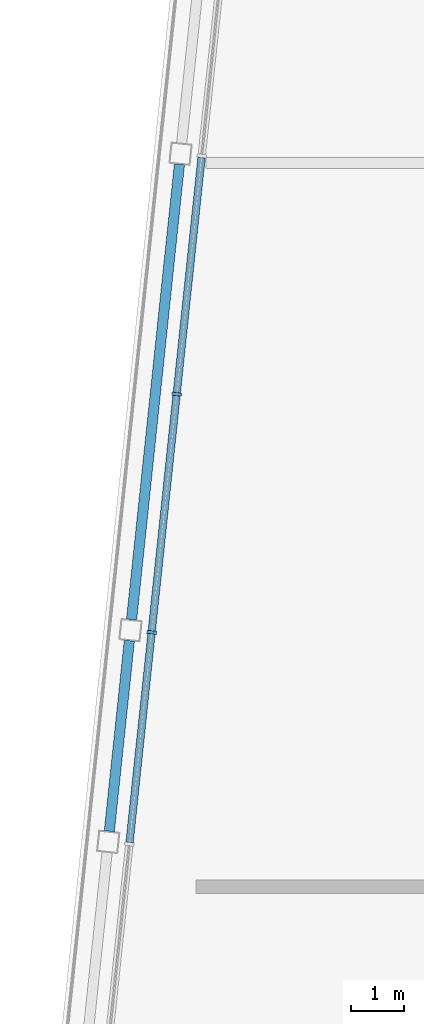
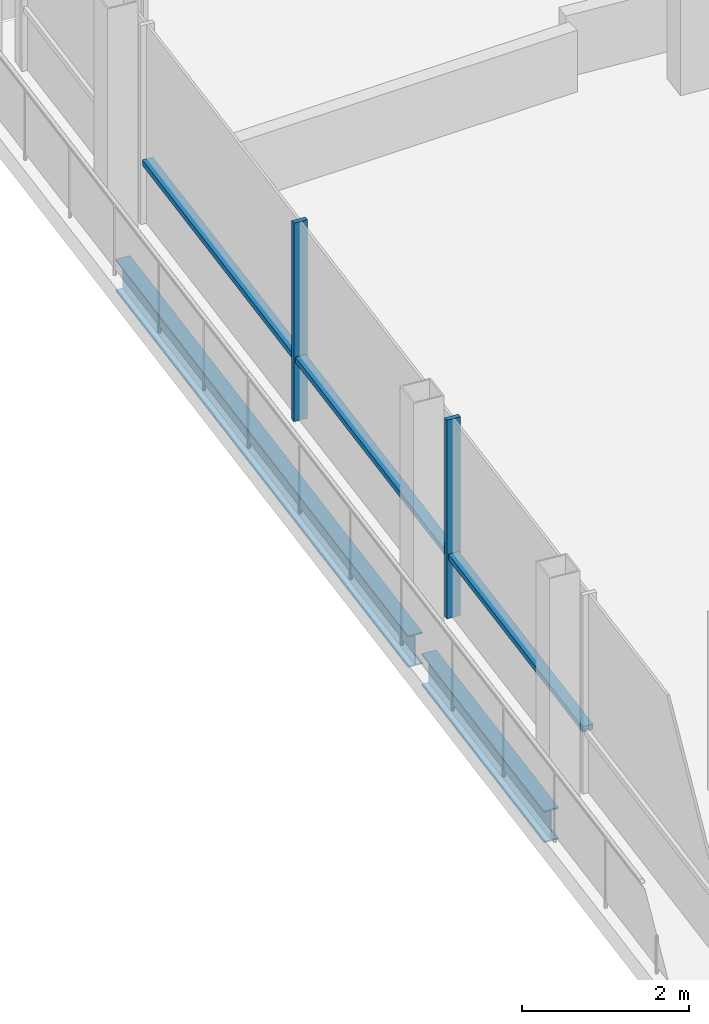
# One storey, part 4 of 15: 5 members, 2 beams, 1 element without a shape of its own.
"""IFC4 building model written with IfcOpenShell, lengths in metres."""

from ifc_helpers import new_model, si_unit, direction, frame, origin, origin_2d, place, context, subcontext, project, spatial, rectangle, i_section, extrude, material, material_profile, profile_set, type_object, element, aggregate, save


model = new_model("IFC4")

# Units and contexts
model_context = context("Model", 3, precision=1e-05, world=origin(), true_north=direction((0.0, 1.0)))
body_context = subcontext(model_context, "Body", "Model", "MODEL_VIEW")
ifc_project = project(units=[si_unit("LENGTHUNIT", "METRE"), si_unit("AREAUNIT", "SQUARE_METRE"), si_unit("VOLUMEUNIT", "CUBIC_METRE"), si_unit("PLANEANGLEUNIT", "RADIAN"), si_unit("MASSUNIT", "GRAM", prefix="KILO")], contexts=[model_context])

# Site, building, storey
site_placement = place(None, origin())
site = spatial("IfcSite", under=ifc_project, at=site_placement, CompositionType="ELEMENT")
building_placement = place(site_placement, origin())
building = spatial("IfcBuilding", under=site, at=building_placement, Name="Vidyagriha Tower", CompositionType="ELEMENT")
storey_placement = place(building_placement, frame((0.0, 0.0, 298.300048828125)))
storey = spatial("IfcBuildingStorey", under=building, at=storey_placement, Name="L77", CompositionType="ELEMENT", Elevation=298.300048828125)

# Beams
ifc_material_1 = material(Name="Steel ASTM A992 Grade 50", Category="steel")
ifc_material_profile_1 = material_profile(ifc_material_1, i_section(OverallWidth=0.19189453125, OverallDepth=0.46240234375, WebThickness=0.010498046875, FlangeThickness=0.017578125, at=origin_2d()), Name="W18X60")
ifc_profile_set_1 = profile_set([ifc_material_profile_1], Name="Steel ASTM A992 Grade 50")
beam_type = type_object("IfcBeamType", Name="Edge beam W18X60", PredefinedType="SPANDREL", material=ifc_profile_set_1)
beam_1_placement = place(storey_placement, frame((-23.628173828125, 2.444091796875, -0.51123046875), z_axis=(0.104578872801, 0.994516595821, 0.0), x_axis=(-0.994516595821, 0.104578872801, 0.0)))
element("IfcBeam", 1, at=beam_1_placement, inside=storey, type_object=beam_type, Name="st-beam-L77-W10", PredefinedType="SPANDREL", context=body_context, shape_type="SweptSolid", body=[
    extrude(i_section(OverallWidth=0.19189453125, OverallDepth=0.46240234375, WebThickness=0.010498046875, FlangeThickness=0.017578125, at=origin_2d()), origin(), (0.0, 0.0, 1.0), 3.599853515625),
])
beam_2_placement = place(storey_placement, frame((-23.2099609375, 6.422119140625, -0.51123046875), z_axis=(0.104528138401, 0.994521929513, 0.0), x_axis=(-0.994521929513, 0.104528138401, 0.0)))
element("IfcBeam", 2, at=beam_2_placement, inside=storey, type_object=beam_type, Name="st-beam-L77-W11", PredefinedType="SPANDREL", context=body_context, shape_type="SweptSolid", body=[
    extrude(i_section(OverallWidth=0.19189453125, OverallDepth=0.46240234375, WebThickness=0.010498046875, FlangeThickness=0.017578125, at=origin_2d()), origin(), (0.0, 0.0, 1.0), 8.599853515625),
])

# Curtain wall, members
ifc_material_2 = material(Name="Aluminium and glass curtain wall", Category="aluminium")
curtain_wall_type = type_object("IfcCurtainWallType", Name="Lantern glazing wall", PredefinedType="USERDEFINED", material=ifc_material_2)
curtain_wall_placement = place(storey_placement, origin())
curtain_wall = element("IfcCurtainWall", 3, at=curtain_wall_placement, inside=storey, type_object=curtain_wall_type, Name="CW4 lantern glazing", ObjectType="STICK GLAZING", PredefinedType="USERDEFINED")
ifc_material_3 = material(Name="Aluminium black anodised", Category="aluminium")
ifc_material_profile_2 = material_profile(ifc_material_3, rectangle(XDim=0.179931640625, YDim=0.06005859375, at=origin_2d()), Name="Mullion 60x180 black aluminium")
ifc_profile_set_2 = profile_set([ifc_material_profile_2], Name="Aluminium black anodised")
member_type_1 = type_object("IfcMemberType", Name="Mullion 60x180 black aluminium", PredefinedType="MULLION", material=ifc_profile_set_2)
member_1_placement = place(storey_placement, frame((-22.36279296875, 10.656494140625, 0.0), z_axis=(0.0, 0.0, 1.0), x_axis=(0.994522018715, -0.104527289697, 0.0)))
member_1 = element("IfcMember", 4, at=member_1_placement, type_object=member_type_1, Name="CW4 mullion 3", PredefinedType="MULLION", context=body_context, shape_type="SweptSolid", body=[
    extrude(rectangle(XDim=0.179931640625, YDim=0.06005859375, at=origin_2d()), origin(), (0.0, 0.0, 1.0), 2.89990234375),
])
member_2_placement = place(storey_placement, frame((-22.8330078125, 6.181396484375, 0.0), z_axis=(0.0, 0.0, 1.0), x_axis=(0.994522018715, -0.104527289697, 0.0)))
member_2 = element("IfcMember", 5, at=member_2_placement, type_object=member_type_1, Name="CW4 mullion 4", PredefinedType="MULLION", context=body_context, shape_type="SweptSolid", body=[
    extrude(rectangle(XDim=0.179931640625, YDim=0.06005859375, at=origin_2d()), origin(), (0.0, 0.0, 1.0), 2.89990234375),
])
ifc_material_4 = material(Name="Aluminium black anodised", Category="aluminium")
ifc_material_profile_3 = material_profile(ifc_material_4, rectangle(XDim=0.139892578125, YDim=0.080078125, at=origin_2d()), Name="Transom 80x140 black aluminium")
ifc_profile_set_3 = profile_set([ifc_material_profile_3], Name="Aluminium black anodised")
member_type_2 = type_object("IfcMemberType", Name="Transom 80x140 black aluminium", PredefinedType="USERDEFINED", material=ifc_profile_set_3)
member_3_placement = place(storey_placement, frame((-21.8955078125, 15.10205078125, 0.89990234375), z_axis=(-0.104533075393, -0.994521410604, 0.0), x_axis=(0.994521410604, -0.104533075393, 0.0)))
member_3 = element("IfcMember", 6, at=member_3_placement, type_object=member_type_2, Name="CW4 transom 2.1", ObjectType="TRANSOM", PredefinedType="USERDEFINED", context=body_context, shape_type="SweptSolid", body=[
    extrude(rectangle(XDim=0.139892578125, YDim=0.080078125, at=origin_2d()), origin(), (0.0, 0.0, 1.0), 4.43994140625),
])
member_4_placement = place(storey_placement, frame((-22.365966796875, 10.626708984375, 0.89990234375), z_axis=(-0.104478687325, -0.994527125771, 0.0), x_axis=(0.994527125771, -0.104478687325, 0.0)))
member_4 = element("IfcMember", 7, at=member_4_placement, type_object=member_type_2, Name="CW4 transom 3.1", ObjectType="TRANSOM", PredefinedType="USERDEFINED", context=body_context, shape_type="SweptSolid", body=[
    extrude(rectangle(XDim=0.139892578125, YDim=0.080078125, at=origin_2d()), origin(), (0.0, 0.0, 1.0), 4.43994140625),
])
member_5_placement = place(storey_placement, frame((-22.836181640625, 6.1513671875, 0.89990234375), z_axis=(-0.104539626027, -0.994520722052, 0.0), x_axis=(0.994520722052, -0.104539626027, 0.0)))
member_5 = element("IfcMember", 8, at=member_5_placement, type_object=member_type_2, Name="CW4 transom 4.1", ObjectType="TRANSOM", PredefinedType="USERDEFINED", context=body_context, shape_type="SweptSolid", body=[
    extrude(rectangle(XDim=0.139892578125, YDim=0.080078125, at=origin_2d()), origin(), (0.0, 0.0, 1.0), 3.939697265625),
])
aggregate(curtain_wall, [member_1, member_2, member_3, member_4, member_5])

save(model, "model.ifc")
